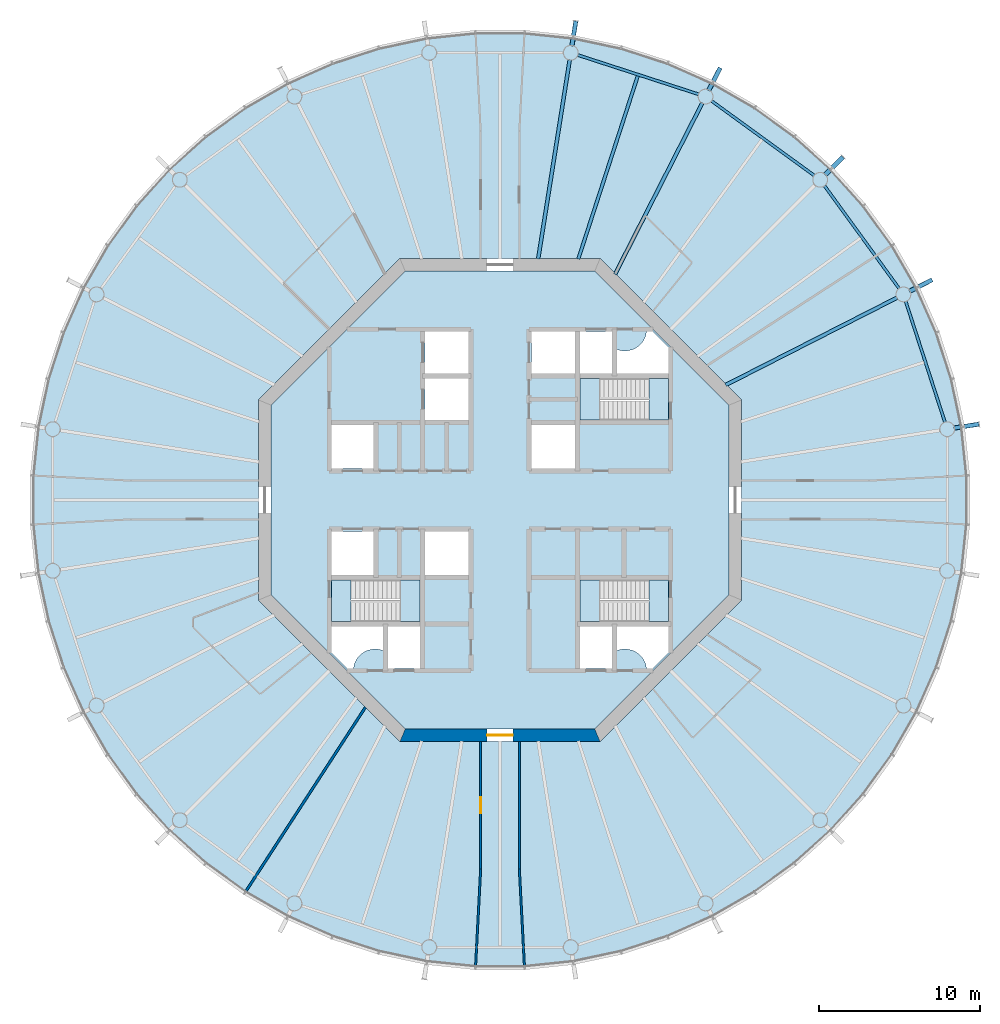
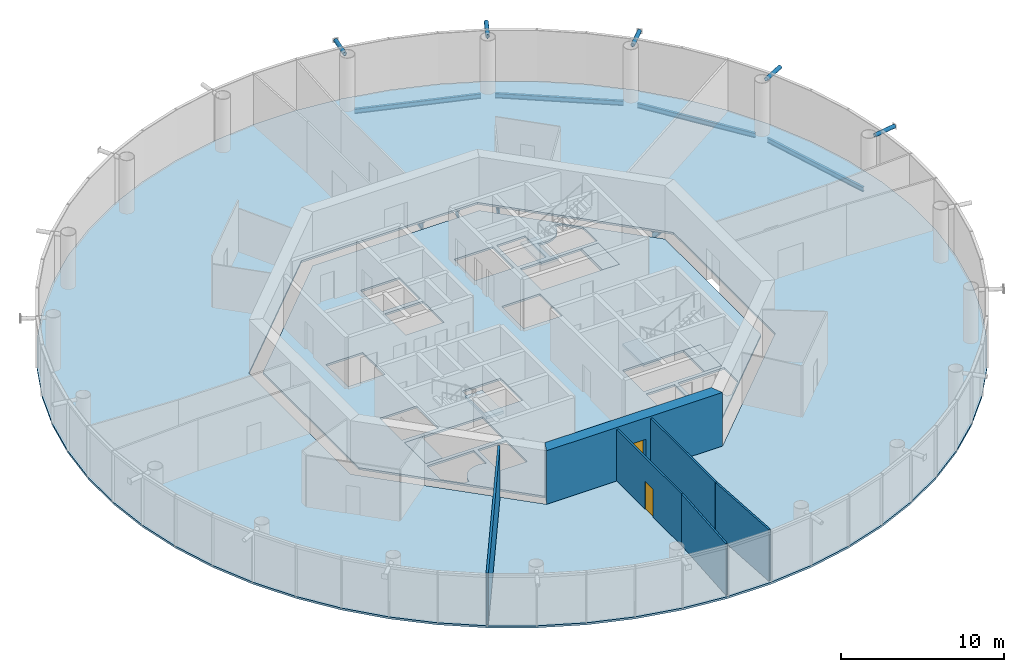
# One storey, part 2 of 17: 8 beams, 8 slabs, 6 walls, 5 members, 2 doors, 2 openings, 3 elements without a shape of their own.
"""IFC4 building model written with IfcOpenShell, lengths in metres."""

from ifc_helpers import new_model, si_unit, direction, frame, frame_2d, origin, origin_2d, place, context, subcontext, project, spatial, polyline, rectangle, circle, hollow_circle, i_section, outline, extrude, material, layer, layer_set, material_profile, profile_set, type_object, element, fill, aggregate, save


model = new_model("IFC4")

# Units and contexts
model_context = context("Model", 3, precision=1e-05, world=origin(), true_north=direction((0.0, 1.0)))
body_context = subcontext(model_context, "Body", "Model", "MODEL_VIEW")
ifc_project = project(units=[si_unit("LENGTHUNIT", "METRE"), si_unit("AREAUNIT", "SQUARE_METRE"), si_unit("VOLUMEUNIT", "CUBIC_METRE"), si_unit("PLANEANGLEUNIT", "RADIAN"), si_unit("MASSUNIT", "GRAM", prefix="KILO")], contexts=[model_context])

# Site, building, storey
site_placement = place(None, origin())
site = spatial("IfcSite", under=ifc_project, at=site_placement, CompositionType="ELEMENT")
building_placement = place(site_placement, origin())
building = spatial("IfcBuilding", under=site, at=building_placement, Name="Entoto Ring Tower", CompositionType="ELEMENT")
storey_placement = place(building_placement, frame((0.0, 0.0, 306.0)))
storey = spatial("IfcBuildingStorey", under=building, at=storey_placement, Name="L70", CompositionType="ELEMENT", Elevation=306.0)

# Members
ifc_material_1 = material(Name="Steel S355", Category="steel")
ifc_material_profile_1 = material_profile(ifc_material_1, hollow_circle(Radius=0.136474609375, WallThickness=0.012451171875, at=origin_2d()), Name="CHS 273 x 12.5")
ifc_material_2 = material(Name="Concrete C60/75", Category="concrete")
ifc_material_profile_2 = material_profile(ifc_material_2, circle(Radius=0.1240234375, at=origin_2d()), Name="Concrete C60/75 infill")
ifc_profile_set_1 = profile_set([ifc_material_profile_1, ifc_material_profile_2], Name="Steel S355")
member_type = type_object("IfcMemberType", Name="Diagrid node strut 273 x 12.5", PredefinedType="STRUT", material=ifc_profile_set_1)
for number, where, z_axis, x_axis, name in (
    (1, (115.4248046875, 92.95458984375, 3.71337890625), (0.891032354048, 0.45393980222, 0.0), (-0.45393980222, 0.891032354048, 0.0), "DS2 strut ring 23 01"),
    (2, (110.17724609375, 100.17724609375, 3.71337890625), (0.707106781187, 0.707106781187, 0.0), (-0.707106781187, 0.707106781187, 0.0), "DS2 strut ring 23 02"),
    (3, (102.95458984375, 105.4248046875, 3.71337890625), (0.45393980222, 0.891032354048, 0.0), (-0.891032354048, 0.45393980222, 0.0), "DS2 strut ring 23 03"),
    (4, (94.4638671875, 108.18359375, 3.71337890625), (0.156451161263, 0.987685696029, 0.0), (-0.987685696029, 0.156451161263, 0.0), "DS2 strut ring 23 04"),
    (5, (118.18359375, 84.4638671875, 3.71337890625), (0.987685696029, 0.156451161263, 0.0), (-0.156451161263, 0.987685696029, 0.0), "DS2 strut ring 23 20"),
):
    element("IfcMember", number, at=place(storey_placement, frame(where, z_axis=z_axis, x_axis=x_axis)), inside=storey, type_object=member_type, Name=name, PredefinedType="STRUT", context=body_context, shape_type="SweptSolid", body=[
        extrude(hollow_circle(Radius=0.136474609375, WallThickness=0.012451171875, at=origin_2d()), origin(), (0.0, 0.0, 1.0), 1.565185546875),
    ])

# Beams
ifc_material_3 = material(Name="Steel S355", Category="steel")
ifc_material_profile_3 = material_profile(ifc_material_3, i_section(OverallWidth=0.169921875, OverallDepth=0.360107421875, WebThickness=0.008056640625, FlangeThickness=0.0126953125, FilletRadius=0.01806640625, at=origin_2d()), Name="IPE 360")
ifc_profile_set_2 = profile_set([ifc_material_profile_3], Name="Steel S355")
beam_type_1 = type_object("IfcBeamType", Name="Edge beam IPE 360", PredefinedType="SPANDREL", material=ifc_profile_set_2)
beam_1_placement = place(storey_placement, frame((117.61572265625, 84.8212890625, -0.330078125), z_axis=(-0.309002883506, 0.951061101079, 0.0), x_axis=(-0.951061101079, -0.309002883506, 0.0)))
element("IfcBeam", 6, at=beam_1_placement, inside=storey, type_object=beam_type_1, Name="Edge beam L70 01", PredefinedType="SPANDREL", context=body_context, shape_type="SweptSolid", body=[
    extrude(i_section(OverallWidth=0.169921875, OverallDepth=0.360107421875, WebThickness=0.008056640625, FlangeThickness=0.0126953125, FilletRadius=0.01806640625, at=origin_2d()), origin(), (0.0, 0.0, 1.0), 7.89697265625),
])
for number, where, z_axis, x_axis, name in (
    (7, (114.7744140625, 93.118896484375, -0.330078125), (-0.587787449408, 0.809015398073, 0.0), (-0.809015398073, -0.587787449408, 0.0), "Edge beam L70 02"),
    (8, (109.5078125, 100.132568359375, -0.330078125), (-0.809015398073, 0.587787449408, 0.0), (-0.587787449408, -0.809015398073, 0.0), "Edge beam L70 03"),
):
    element("IfcBeam", number, at=place(storey_placement, frame(where, z_axis=z_axis, x_axis=x_axis)), inside=storey, type_object=beam_type_1, Name=name, PredefinedType="SPANDREL", context=body_context, shape_type="SweptSolid", body=[
        extrude(i_section(OverallWidth=0.169921875, OverallDepth=0.360107421875, WebThickness=0.008056640625, FlangeThickness=0.0126953125, FilletRadius=0.01806640625, at=origin_2d()), origin(), (0.0, 0.0, 1.0), 7.897216796875),
    ])
beam_2_placement = place(storey_placement, frame((102.331787109375, 105.175537109375, -0.330078125), z_axis=(-0.951061101079, 0.309002883506, 0.0), x_axis=(-0.309002883506, -0.951061101079, 0.0)))
element("IfcBeam", 9, at=beam_2_placement, inside=storey, type_object=beam_type_1, Name="Edge beam L70 04", PredefinedType="SPANDREL", context=body_context, shape_type="SweptSolid", body=[
    extrude(i_section(OverallWidth=0.169921875, OverallDepth=0.360107421875, WebThickness=0.008056640625, FlangeThickness=0.0126953125, FilletRadius=0.01806640625, at=origin_2d()), origin(), (0.0, 0.0, 1.0), 7.89697265625),
])
ifc_material_4 = material(Name="Steel S355", Category="steel")
ifc_material_profile_4 = material_profile(ifc_material_4, i_section(OverallWidth=0.219970703125, OverallDepth=0.60009765625, WebThickness=0.011962890625, FlangeThickness=0.01904296875, FilletRadius=0.02392578125, at=origin_2d()), Name="IPE 600")
ifc_profile_set_3 = profile_set([ifc_material_profile_4], Name="Steel S355")
beam_type_2 = type_object("IfcBeamType", Name="Primary floor beam IPE 600", PredefinedType="BEAM", material=ifc_profile_set_3)
for number, where, z_axis, x_axis, name in (
    (10, (104.003173828125, 87.135009765625, -0.449951171875), (0.891007666593, 0.453988257638, 0.0), (-0.453988257638, 0.891007666593, 0.0), "Primary L70 R02"),
    (11, (97.135009765625, 94.003173828125, -0.449951171875), (0.453988257638, 0.891007666593, 0.0), (-0.891007666593, 0.453988257638, 0.0), "Primary L70 R04"),
):
    element("IfcBeam", number, at=place(storey_placement, frame(where, z_axis=z_axis, x_axis=x_axis)), inside=storey, type_object=beam_type_2, Name=name, PredefinedType="BEAM", context=body_context, shape_type="SweptSolid", body=[
        extrude(i_section(OverallWidth=0.219970703125, OverallDepth=0.60009765625, WebThickness=0.011962890625, FlangeThickness=0.01904296875, FilletRadius=0.02392578125, at=origin_2d()), origin(), (0.0, 0.0, 1.0), 11.941650390625),
    ])
beam_3_placement = place(storey_placement, frame((92.369873046875, 94.963134765625, -0.449951171875), z_axis=(0.156439647277, 0.987687519796, 0.0), x_axis=(-0.987687519796, 0.156439647277, 0.0)))
element("IfcBeam", 12, at=beam_3_placement, inside=storey, type_object=beam_type_2, Name="Primary L70 R05", PredefinedType="BEAM", context=body_context, shape_type="SweptSolid", body=[
    extrude(i_section(OverallWidth=0.219970703125, OverallDepth=0.60009765625, WebThickness=0.011962890625, FlangeThickness=0.01904296875, FilletRadius=0.02392578125, at=origin_2d()), origin(), (0.0, 0.0, 1.0), 12.50830078125),
])
ifc_material_5 = material(Name="Steel S355", Category="steel")
ifc_material_profile_5 = material_profile(ifc_material_5, i_section(OverallWidth=0.199951171875, OverallDepth=0.5, WebThickness=0.01025390625, FlangeThickness=0.01611328125, FilletRadius=0.02099609375, at=origin_2d()), Name="IPE 500")
ifc_profile_set_4 = profile_set([ifc_material_profile_5], Name="Steel S355")
beam_type_3 = type_object("IfcBeamType", Name="Secondary floor beam IPE 500", PredefinedType="JOIST", material=ifc_profile_set_4)
beam_4_placement = place(storey_placement, frame((94.857666015625, 94.9501953125, -0.39990234375), z_axis=(0.30901677521, 0.951056587506, 0.0), x_axis=(-0.951056587506, 0.30901677521, 0.0)))
element("IfcBeam", 13, at=beam_4_placement, inside=storey, type_object=beam_type_3, Name="Secondary beam L70 04", PredefinedType="JOIST", context=body_context, shape_type="SweptSolid", body=[
    extrude(i_section(OverallWidth=0.199951171875, OverallDepth=0.5, WebThickness=0.01025390625, FlangeThickness=0.01611328125, FilletRadius=0.02099609375, at=origin_2d()), origin(), (0.0, 0.0, 1.0), 11.94970703125),
])

# Slabs
ifc_material_6 = material(Name="Concrete C30/37", Category="concrete")
ifc_layer_1 = layer(ifc_material_6, 0.14990234375)
ifc_layer_set_1 = layer_set([ifc_layer_1], Name="Concrete C30/37")
slab_type_1 = type_object("IfcSlabType", Name="Composite floor slab 150 mm", PredefinedType="FLOOR", material=ifc_layer_set_1)
slab_1_placement = place(storey_placement, frame((0.0, 0.0, -0.14990234375)))
element("IfcSlab", 14, at=slab_1_placement, inside=storey, type_object=slab_type_1, Name="Floor slab L70", PredefinedType="FLOOR", context=body_context, shape_type="SweptSolid", body=[
    extrude(outline(polyline([(118.74169921875, 84.55224609375), (118.1083984375, 87.53173828125), (117.167236328125, 90.428466796875), (115.92822265625, 93.211181640625), (114.4052734375, 95.848876953125), (112.614990234375, 98.313232421875), (110.576904296875, 100.576904296875), (108.313232421875, 102.614990234375), (105.848876953125, 104.4052734375), (103.211181640625, 105.92822265625), (100.428466796875, 107.167236328125), (97.53173828125, 108.1083984375), (94.55224609375, 108.74169921875), (91.52294921875, 109.06005859375), (88.47705078125, 109.06005859375), (85.44775390625, 108.74169921875), (82.46826171875, 108.1083984375), (79.571533203125, 107.167236328125), (76.788818359375, 105.92822265625), (74.151123046875, 104.4052734375), (71.686767578125, 102.614990234375), (69.423095703125, 100.576904296875), (67.385009765625, 98.313232421875), (65.5947265625, 95.848876953125), (64.07177734375, 93.211181640625), (62.832763671875, 90.428466796875), (61.8916015625, 87.53173828125), (61.25830078125, 84.55224609375), (60.93994140625, 81.52294921875), (60.93994140625, 78.47705078125), (61.25830078125, 75.44775390625), (61.8916015625, 72.46826171875), (62.832763671875, 69.571533203125), (64.07177734375, 66.788818359375), (65.5947265625, 64.151123046875), (67.385009765625, 61.686767578125), (69.423095703125, 59.423095703125), (71.686767578125, 57.385009765625), (74.151123046875, 55.5947265625), (76.788818359375, 54.07177734375), (79.571533203125, 52.832763671875), (82.46826171875, 51.8916015625), (85.44775390625, 51.25830078125), (88.47705078125, 50.93994140625), (91.52294921875, 50.93994140625), (94.55224609375, 51.25830078125), (97.53173828125, 51.8916015625), (100.428466796875, 52.832763671875), (103.211181640625, 54.07177734375), (105.848876953125, 55.5947265625), (108.313232421875, 57.385009765625), (110.576904296875, 59.423095703125), (112.614990234375, 61.686767578125), (114.4052734375, 64.151123046875), (115.92822265625, 66.788818359375), (117.167236328125, 69.571533203125), (118.1083984375, 72.46826171875), (118.74169921875, 75.44775390625), (119.06005859375, 78.47705078125), (119.06005859375, 81.52294921875), (118.74169921875, 84.55224609375)]), holes=[polyline([(105.0, 73.786865234375), (105.0, 86.213134765625), (96.213134765625, 95.0), (83.786865234375, 95.0), (75.0, 86.213134765625), (75.0, 73.786865234375), (83.786865234375, 65.0), (96.213134765625, 65.0), (105.0, 73.786865234375)])]), origin(), (0.0, 0.0, 1.0), 0.14990234375),
])
ifc_material_7 = material(Name="Concrete C40/50", Category="concrete")
ifc_layer_2 = layer(ifc_material_7, 0.14990234375)
ifc_layer_set_2 = layer_set([ifc_layer_2], Name="Concrete C40/50")
slab_type_2 = type_object("IfcSlabType", Name="Core floor slab 150 mm reinforced concrete C40/50", PredefinedType="FLOOR", material=ifc_layer_set_2)
slab_2_placement = place(storey_placement, frame((0.0, 0.0, -0.14990234375)))
element("IfcSlab", 15, at=slab_2_placement, inside=storey, type_object=slab_type_2, Name="Core floor L70", PredefinedType="FLOOR", context=body_context, shape_type="SweptSolid", body=[
    extrude(outline(polyline([(104.199951171875, 74.1181640625), (104.199951171875, 85.8818359375), (95.8818359375, 94.199951171875), (84.1181640625, 94.199951171875), (75.800048828125, 85.8818359375), (75.800048828125, 74.1181640625), (84.1181640625, 65.800048828125), (95.8818359375, 65.800048828125), (104.199951171875, 74.1181640625)]), holes=[polyline([(100.449951171875, 84.949951171875), (100.449951171875, 87.550048828125), (94.949951171875, 87.550048828125), (94.949951171875, 84.949951171875), (100.449951171875, 84.949951171875)]), polyline([(85.050048828125, 72.449951171875), (85.050048828125, 75.050048828125), (79.550048828125, 75.050048828125), (79.550048828125, 72.449951171875), (85.050048828125, 72.449951171875)]), polyline([(100.449951171875, 72.449951171875), (100.449951171875, 75.050048828125), (94.949951171875, 75.050048828125), (94.949951171875, 72.449951171875), (100.449951171875, 72.449951171875)]), polyline([(94.949951171875, 90.449951171875), (94.949951171875, 87.85009765625), (96.949951171875, 87.85009765625), (96.949951171875, 90.449951171875), (94.949951171875, 90.449951171875)]), polyline([(94.949951171875, 72.14990234375), (94.949951171875, 69.550048828125), (96.949951171875, 69.550048828125), (96.949951171875, 72.14990234375), (94.949951171875, 72.14990234375)]), polyline([(83.050048828125, 72.14990234375), (83.050048828125, 69.550048828125), (85.050048828125, 69.550048828125), (85.050048828125, 72.14990234375), (83.050048828125, 72.14990234375)]), polyline([(79.550048828125, 81.949951171875), (82.14990234375, 81.949951171875), (82.14990234375, 84.64990234375), (79.550048828125, 84.64990234375), (79.550048828125, 81.949951171875)]), polyline([(79.550048828125, 75.35009765625), (82.14990234375, 75.35009765625), (82.14990234375, 78.050048828125), (79.550048828125, 78.050048828125), (79.550048828125, 75.35009765625)]), polyline([(91.949951171875, 87.85009765625), (94.64990234375, 87.85009765625), (94.64990234375, 90.449951171875), (91.949951171875, 90.449951171875), (91.949951171875, 87.85009765625)]), polyline([(91.949951171875, 81.949951171875), (94.64990234375, 81.949951171875), (94.64990234375, 84.64990234375), (91.949951171875, 84.64990234375), (91.949951171875, 81.949951171875)]), polyline([(85.35009765625, 75.35009765625), (88.050048828125, 75.35009765625), (88.050048828125, 78.050048828125), (85.35009765625, 78.050048828125), (85.35009765625, 75.35009765625)]), polyline([(85.35009765625, 84.949951171875), (88.050048828125, 84.949951171875), (88.050048828125, 87.550048828125), (85.35009765625, 87.550048828125), (85.35009765625, 84.949951171875)]), polyline([(85.35009765625, 87.85009765625), (88.050048828125, 87.85009765625), (88.050048828125, 90.449951171875), (85.35009765625, 90.449951171875), (85.35009765625, 87.85009765625)]), polyline([(97.199951171875, 89.368408203125), (97.199951171875, 87.800048828125), (100.5, 87.800048828125), (100.5, 89.4404296875), (99.4404296875, 90.5), (99.09521484375, 90.5), (99.093505859375, 90.4677734375), (99.07421875, 90.336669921875), (99.0419921875, 90.2080078125), (98.997314453125, 90.08349609375), (98.940673828125, 89.963623046875), (98.87255859375, 89.85009765625), (98.793701171875, 89.74365234375), (98.70458984375, 89.6455078125), (98.6064453125, 89.556396484375), (98.5, 89.4775390625), (98.386474609375, 89.409423828125), (98.2666015625, 89.352783203125), (98.141845703125, 89.30810546875), (98.013427734375, 89.27587890625), (97.88232421875, 89.256591796875), (97.75, 89.25), (97.61767578125, 89.256591796875), (97.486572265625, 89.27587890625), (97.358154296875, 89.30810546875), (97.2333984375, 89.352783203125), (97.199951171875, 89.368408203125)]), polyline([(80.5595703125, 69.5), (80.90478515625, 69.5), (80.906494140625, 69.5322265625), (80.92578125, 69.663330078125), (80.9580078125, 69.7919921875), (81.002685546875, 69.91650390625), (81.059326171875, 70.036376953125), (81.12744140625, 70.14990234375), (81.206298828125, 70.25634765625), (81.29541015625, 70.3544921875), (81.3935546875, 70.443603515625), (81.5, 70.5224609375), (81.613525390625, 70.590576171875), (81.7333984375, 70.647216796875), (81.858154296875, 70.69189453125), (81.986572265625, 70.72412109375), (82.11767578125, 70.743408203125), (82.25, 70.75), (82.38232421875, 70.743408203125), (82.513427734375, 70.72412109375), (82.641845703125, 70.69189453125), (82.7666015625, 70.647216796875), (82.800048828125, 70.631591796875), (82.800048828125, 72.199951171875), (79.5, 72.199951171875), (79.5, 70.5595703125), (80.5595703125, 69.5)]), polyline([(99.09521484375, 69.5), (99.4404296875, 69.5), (100.5, 70.5595703125), (100.5, 72.199951171875), (97.199951171875, 72.199951171875), (97.199951171875, 70.631591796875), (97.2333984375, 70.647216796875), (97.358154296875, 70.69189453125), (97.486572265625, 70.72412109375), (97.61767578125, 70.743408203125), (97.75, 70.75), (97.88232421875, 70.743408203125), (98.013427734375, 70.72412109375), (98.141845703125, 70.69189453125), (98.2666015625, 70.647216796875), (98.386474609375, 70.590576171875), (98.5, 70.5224609375), (98.6064453125, 70.443603515625), (98.70458984375, 70.3544921875), (98.793701171875, 70.25634765625), (98.87255859375, 70.14990234375), (98.940673828125, 70.036376953125), (98.997314453125, 69.91650390625), (99.0419921875, 69.7919921875), (99.07421875, 69.663330078125), (99.093505859375, 69.5322265625), (99.09521484375, 69.5)])]), origin(), (0.0, 0.0, 1.0), 0.14990234375),
])

# Stair, slabs
ifc_material_8 = material(Name="Concrete C40/50", Category="concrete")
stair_type = type_object("IfcStairType", Name="Exit stair 1200 mm dog-leg reinforced concrete", PredefinedType="HALF_TURN_STAIR", material=ifc_material_8)
stair_1_placement = place(storey_placement, origin())
stair_1 = element("IfcStair", 16, at=stair_1_placement, inside=storey, type_object=stair_type, Name="Exit stair 1", PredefinedType="HALF_TURN_STAIR")
ifc_material_9 = material(Name="Concrete C40/50", Category="concrete")
ifc_layer_3 = layer(ifc_material_9, 0.199951171875)
ifc_layer_set_3 = layer_set([ifc_layer_3], Name="Concrete C40/50")
slab_type_3 = type_object("IfcSlabType", Name="Stair landing 200 mm reinforced concrete", PredefinedType="LANDING", material=ifc_layer_set_3)
slab_3_placement = place(storey_placement, frame((0.0, 0.0, -0.199951171875)))
slab_3 = element("IfcSlab", 17, at=slab_3_placement, type_object=slab_type_3, Name="ST1 landing 1", PredefinedType="LANDING", context=body_context, shape_type="SweptSolid", body=[
    extrude(outline(polyline([(100.449951171875, 84.949951171875), (100.449951171875, 87.550048828125), (99.25, 87.550048828125), (99.25, 84.949951171875), (100.449951171875, 84.949951171875)])), origin(), (0.0, 0.0, 1.0), 0.199951171875),
])
slab_4_placement = place(storey_placement, frame((0.0, 0.0, 1.800048828125)))
slab_4 = element("IfcSlab", 18, at=slab_4_placement, type_object=slab_type_3, Name="ST1 landing 2", PredefinedType="LANDING", context=body_context, shape_type="SweptSolid", body=[
    extrude(outline(polyline([(94.949951171875, 84.949951171875), (96.169921875, 84.949951171875), (96.169921875, 87.550048828125), (94.949951171875, 87.550048828125), (94.949951171875, 84.949951171875)])), origin(), (0.0, 0.0, 1.0), 0.199951171875),
])
aggregate(stair_1, [slab_3, slab_4])

stair_2_placement = place(storey_placement, origin())
stair_2 = element("IfcStair", 19, at=stair_2_placement, inside=storey, type_object=stair_type, Name="Exit stair 2", PredefinedType="HALF_TURN_STAIR")
slab_5_placement = place(storey_placement, frame((0.0, 0.0, -0.199951171875)))
slab_5 = element("IfcSlab", 20, at=slab_5_placement, type_object=slab_type_3, Name="ST2 landing 1", PredefinedType="LANDING", context=body_context, shape_type="SweptSolid", body=[
    extrude(outline(polyline([(80.75, 72.449951171875), (80.75, 75.050048828125), (79.550048828125, 75.050048828125), (79.550048828125, 72.449951171875), (80.75, 72.449951171875)])), origin(), (0.0, 0.0, 1.0), 0.199951171875),
])
slab_6_placement = place(storey_placement, frame((0.0, 0.0, 1.800048828125)))
slab_6 = element("IfcSlab", 21, at=slab_6_placement, type_object=slab_type_3, Name="ST2 landing 2", PredefinedType="LANDING", context=body_context, shape_type="SweptSolid", body=[
    extrude(outline(polyline([(83.830078125, 72.449951171875), (85.050048828125, 72.449951171875), (85.050048828125, 75.050048828125), (83.830078125, 75.050048828125), (83.830078125, 72.449951171875)])), origin(), (0.0, 0.0, 1.0), 0.199951171875),
])
aggregate(stair_2, [slab_5, slab_6])

stair_3_placement = place(storey_placement, origin())
stair_3 = element("IfcStair", 22, at=stair_3_placement, inside=storey, type_object=stair_type, Name="Exit stair 3", PredefinedType="HALF_TURN_STAIR")
slab_7_placement = place(storey_placement, frame((0.0, 0.0, -0.199951171875)))
slab_7 = element("IfcSlab", 23, at=slab_7_placement, type_object=slab_type_3, Name="ST3 landing 1", PredefinedType="LANDING", context=body_context, shape_type="SweptSolid", body=[
    extrude(outline(polyline([(100.449951171875, 72.449951171875), (100.449951171875, 75.050048828125), (99.25, 75.050048828125), (99.25, 72.449951171875), (100.449951171875, 72.449951171875)])), origin(), (0.0, 0.0, 1.0), 0.199951171875),
])
slab_8_placement = place(storey_placement, frame((0.0, 0.0, 1.800048828125)))
slab_8 = element("IfcSlab", 24, at=slab_8_placement, type_object=slab_type_3, Name="ST3 landing 2", PredefinedType="LANDING", context=body_context, shape_type="SweptSolid", body=[
    extrude(outline(polyline([(94.949951171875, 72.449951171875), (96.169921875, 72.449951171875), (96.169921875, 75.050048828125), (94.949951171875, 75.050048828125), (94.949951171875, 72.449951171875)])), origin(), (0.0, 0.0, 1.0), 0.199951171875),
])
aggregate(stair_3, [slab_7, slab_8])

# Wall, opening, door
ifc_material_10 = material(Name="Concrete C40/50", Category="concrete")
ifc_layer_4 = layer(ifc_material_10, 0.800048828125)
ifc_layer_set_4 = layer_set([ifc_layer_4], Name="Concrete C40/50")
wall_type_1 = type_object("IfcWallType", Name="Core shear wall 800 mm reinforced concrete C40/50", PredefinedType="SHEAR", material=ifc_layer_set_4)
wall_1_placement = place(storey_placement, frame((83.952392578125, 65.39990234375, 0.0), z_axis=(0.0, 0.0, 1.0), x_axis=(1.0, 0.0, 0.0)))
wall_1 = element("IfcWall", 25, at=wall_1_placement, inside=storey, type_object=wall_type_1, Name="wall-L70-core-6", PredefinedType="SHEAR", context=body_context, shape_type="SweptSolid", body=[
    extrude(outline(polyline([(-0.165771484375, -0.39990234375), (12.260986328125, -0.39990234375), (11.929443359375, 0.39990234375), (0.165771484375, 0.39990234375), (-0.165771484375, -0.39990234375)])), origin(), (0.0, 0.0, 1.0), 4.0),
])
opening_1_placement = place(wall_1_placement, frame((5.24755859375, 0.0, 0.0)))
opening_1 = element("IfcOpeningElement", 26, at=opening_1_placement, cuts=wall_1, Name="Opening K-04", PredefinedType="OPENING", context=body_context, shape_type="SweptSolid", body=[
    extrude(rectangle(XDim=1.60009765625, YDim=2.39990234375, at=frame_2d((0.800048828125, 1.199951171875))), frame((0.0, 0.41015625, 0.0), z_axis=(0.0, -1.0, 0.0), x_axis=(1.0, 0.0, 0.0)), (0.0, 0.0, 1.0), 0.820068359375),
])
ifc_material_11 = material(Name="Steel door leaf, fire rated", Category="steel")
ifc_layer_5 = layer(ifc_material_11, 0.050048828125)
ifc_layer_set_5 = layer_set([ifc_layer_5], Name="Steel door leaf, fire rated")
door_type_1 = type_object("IfcDoorType", Name="Entrance door FD60 1600 x 2400 double leaf", OperationType="DOUBLE_DOOR_SINGLE_SWING", PredefinedType="DOOR", material=ifc_layer_set_5)
door_1_placement = place(opening_1_placement, origin())
door_1 = element("IfcDoor", 27, at=door_1_placement, inside=storey, type_object=door_type_1, Name="Entrance door K-04", OperationType="DOUBLE_DOOR_SINGLE_SWING", OverallHeight=2.39990234375, OverallWidth=1.60009765625, PredefinedType="DOOR", context=body_context, shape_type="SweptSolid", body=[
    extrude(rectangle(XDim=1.60009765625, YDim=2.39990234375, at=frame_2d((0.800048828125, 1.199951171875))), frame((0.0, 0.02490234375, 0.0), z_axis=(0.0, -1.0, 0.0), x_axis=(1.0, 0.0, 0.0)), (0.0, 0.0, 1.0), 0.050048828125),
])
fill(opening_1, door_1)

ifc_material_12 = material(Name="Fire-resisting plasterboard on steel studs", Category="steel")
ifc_layer_6 = layer(ifc_material_12, 0.125)
ifc_layer_set_6 = layer_set([ifc_layer_6], Name="Fire-resisting plasterboard on steel studs")
wall_type_2 = type_object("IfcWallType", Name="Corridor wall 125 mm one-hour plasterboard on steel studs", PredefinedType="PARTITIONING", material=ifc_layer_set_6)
wall_2_placement = place(storey_placement, frame((88.800048828125, 57.1025390625, 0.0), z_axis=(0.0, 0.0, 1.0), x_axis=(0.0, 1.0, 0.0)))
wall_2 = element("IfcWall", 28, at=wall_2_placement, inside=storey, type_object=wall_type_2, Name="partition-L70-003", PredefinedType="PARTITIONING", context=body_context, shape_type="SweptSolid", body=[
    extrude(rectangle(XDim=7.8974609375, YDim=0.125, at=frame_2d((3.94873046875, 0.0))), origin(), (0.0, 0.0, 1.0), 3.85009765625),
])
opening_2_placement = place(wall_2_placement, frame((3.44873046875, 0.0, 0.0)))
opening_2 = element("IfcOpeningElement", 29, at=opening_2_placement, cuts=wall_2, Name="Opening A30-D08", PredefinedType="OPENING", context=body_context, shape_type="SweptSolid", body=[
    extrude(rectangle(XDim=1.0, YDim=2.10009765625, at=frame_2d((0.5, 1.050048828125))), frame((0.0, 0.072509765625, 0.0), z_axis=(0.0, -1.0, 0.0), x_axis=(1.0, 0.0, 0.0)), (0.0, 0.0, 1.0), 0.14501953125),
])
ifc_material_13 = material(Name="Fire-resisting timber door set", Category="wood")
door_type_2 = type_object("IfcDoorType", Name="Door 1000 x 2100 single leaf FD30S fire door", OperationType="NOTDEFINED", PredefinedType="DOOR", material=ifc_material_13)
door_2_placement = place(opening_2_placement, origin())
door_2 = element("IfcDoor", 30, at=door_2_placement, inside=storey, type_object=door_type_2, Name="Door A30-D08", OperationType="SINGLE_SWING_RIGHT", OverallHeight=2.10009765625, OverallWidth=1.0, PredefinedType="DOOR", context=body_context, shape_type="SweptSolid", body=[
    extrude(rectangle(XDim=1.0, YDim=2.10009765625, at=frame_2d((0.5, 1.050048828125))), frame((0.0, 0.02490234375, 0.0), z_axis=(0.0, -1.0, 0.0), x_axis=(1.0, 0.0, 0.0)), (0.0, 0.0, 1.0), 0.050048828125),
])
fill(opening_2, door_2)

# Walls
wall_3_placement = place(storey_placement, frame((91.199951171875, 57.1025390625, 0.0), z_axis=(0.0, 0.0, 1.0), x_axis=(0.0, 1.0, 0.0)))
element("IfcWall", 31, at=wall_3_placement, inside=storey, type_object=wall_type_2, Name="partition-L70-005", PredefinedType="PARTITIONING", context=body_context, shape_type="SweptSolid", body=[
    extrude(rectangle(XDim=7.8974609375, YDim=0.125, at=frame_2d((3.94873046875, 0.0))), origin(), (0.0, 0.0, 1.0), 3.85009765625),
])
for number, where, z_axis, x_axis, name in (
    (32, (88.4853515625, 51.099609375, 0.0), (0.0, 0.0, 1.0), (0.052339150565, 0.998629367342, 0.0), "partition-L70-011"),
    (33, (91.5146484375, 51.099609375, 0.0), (0.0, 0.0, 1.0), (-0.052339150565, 0.998629367342, 0.0), "partition-L70-014"),
):
    element("IfcWall", number, at=place(storey_placement, frame(where, z_axis=z_axis, x_axis=x_axis)), inside=storey, type_object=wall_type_2, Name=name, PredefinedType="PARTITIONING", context=body_context, shape_type="SweptSolid", body=[
        extrude(rectangle(XDim=6.008056640625, YDim=0.125, at=frame_2d((3.00390625, 0.0))), origin(), (0.0, 0.0, 1.0), 3.85009765625),
    ])
ifc_material_14 = material(Name="Fire-resisting acoustic plasterboard on steel studs", Category="steel")
ifc_layer_7 = layer(ifc_material_14, 0.14990234375)
ifc_layer_set_7 = layer_set([ifc_layer_7], Name="Fire-resisting acoustic plasterboard on steel studs")
wall_type_3 = type_object("IfcWallType", Name="Party wall 150 mm one-hour acoustic plasterboard on steel studs", PredefinedType="PARTITIONING", material=ifc_layer_set_7)
wall_4_placement = place(storey_placement, frame((74.238037109375, 55.72900390625, 0.0), z_axis=(0.0, 0.0, 1.0), x_axis=(0.544650850813, 0.838662894558, 0.0)))
element("IfcWall", 34, at=wall_4_placement, inside=storey, type_object=wall_type_3, Name="partition-L70-017", PredefinedType="PARTITIONING", context=body_context, shape_type="SweptSolid", body=[
    extrude(rectangle(XDim=13.60498046875, YDim=0.14990234375, at=frame_2d((6.802490234375, 0.0))), origin(), (0.0, 0.0, 1.0), 3.85009765625),
])

save(model, "model.ifc")
